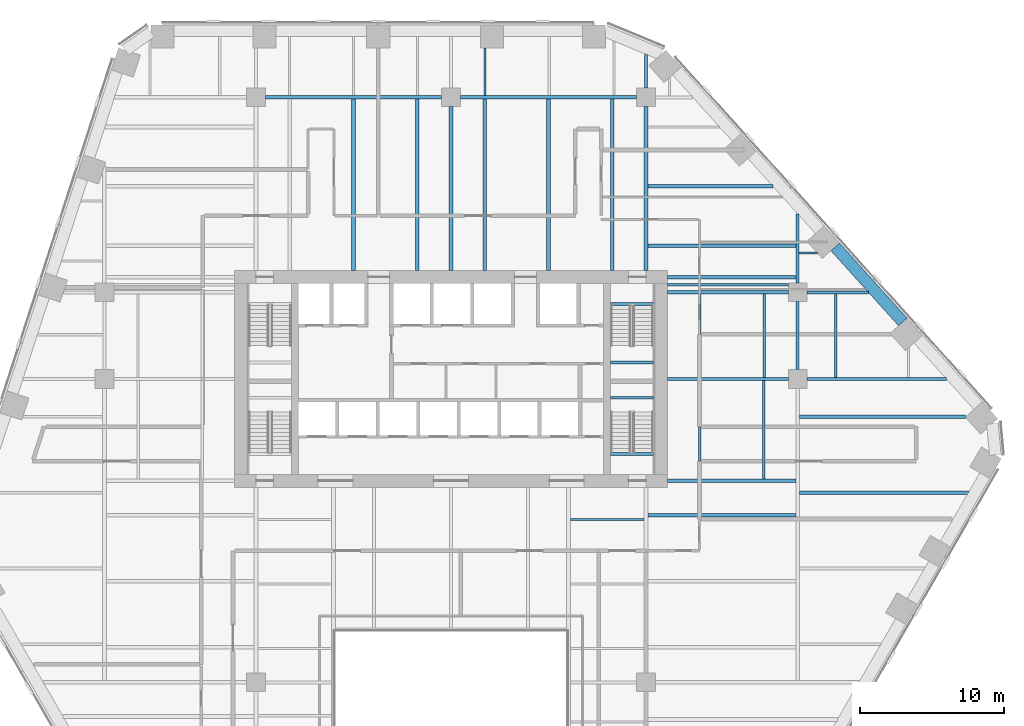
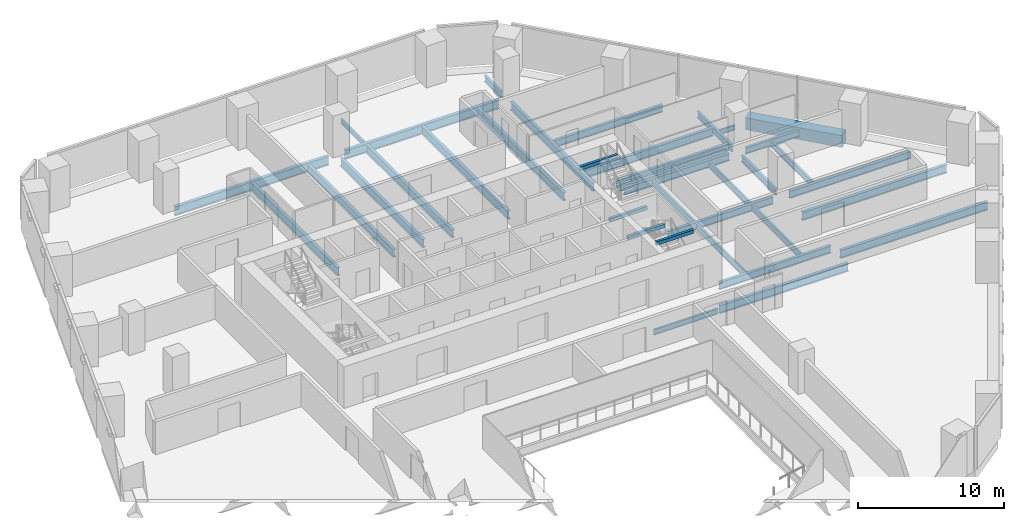
# One storey, part 9 of 21: 37 beams.
"""IFC4 building model written with IfcOpenShell, lengths in metres."""

from ifc_helpers import new_model, si_unit, direction, frame, origin, origin_2d, place, context, subcontext, project, spatial, rectangle, i_section, extrude, material, material_profile, profile_set, type_object, element, save


model = new_model("IFC4")

# Units and contexts
model_context = context("Model", 3, precision=1e-05, world=origin(), true_north=direction((0.0, 1.0)))
body_context = subcontext(model_context, "Body", "Model", "MODEL_VIEW")
ifc_project = project(units=[si_unit("LENGTHUNIT", "METRE"), si_unit("AREAUNIT", "SQUARE_METRE"), si_unit("VOLUMEUNIT", "CUBIC_METRE"), si_unit("PLANEANGLEUNIT", "RADIAN"), si_unit("MASSUNIT", "GRAM", prefix="KILO")], contexts=[model_context])

# Site, building, storey
site_placement = place(None, origin())
site = spatial("IfcSite", under=ifc_project, at=site_placement, CompositionType="ELEMENT")
building_placement = place(site_placement, origin())
building = spatial("IfcBuilding", under=site, at=building_placement, Name="Isthmus Gate Tower", CompositionType="ELEMENT")
storey_placement = place(building_placement, frame((0.0, 0.0, 109.85009765625)))
storey = spatial("IfcBuildingStorey", under=building, at=storey_placement, Name="L26", CompositionType="ELEMENT", Elevation=109.85009765625)

# Beams
ifc_material_1 = material(Name="Concrete f'c 70 MPa", Category="concrete")
ifc_material_profile_1 = material_profile(ifc_material_1, rectangle(XDim=0.800048828125, YDim=1.0, at=origin_2d()), Name="RC 800X1000")
ifc_profile_set_1 = profile_set([ifc_material_profile_1], Name="Concrete f'c 70 MPa")
beam_type_1 = type_object("IfcBeamType", Name="RC SPANDREL 800 X 1000", PredefinedType="SPANDREL", material=ifc_profile_set_1)
beam_1_placement = place(storey_placement, frame((26.597900390625, 16.640380859375, -0.5), z_axis=(0.669128753615, -0.743146493691, 0.0), x_axis=(0.743146493691, 0.669128753615, 0.0)))
element("IfcBeam", 1, at=beam_1_placement, inside=storey, type_object=beam_type_1, Name="str-spandrel-L26-03", PredefinedType="SPANDREL", context=body_context, shape_type="SweptSolid", body=[
    extrude(rectangle(XDim=0.800048828125, YDim=1.0, at=origin_2d()), origin(), (0.0, 0.0, 1.0), 6.9892578125),
])
ifc_material_2 = material(Name="Concrete f'c 40 MPa", Category="concrete")
ifc_material_profile_2 = material_profile(ifc_material_2, rectangle(XDim=0.199951171875, YDim=0.300048828125, at=origin_2d()), Name="STAIR LANDING BEAM RC 200 X 300")
ifc_profile_set_2 = profile_set([ifc_material_profile_2], Name="Concrete f'c 40 MPa")
beam_type_2 = type_object("IfcBeamType", Name="STAIR LANDING BEAM RC 200 X 300", PredefinedType="BEAM", material=ifc_profile_set_2)
for number, where, z_axis, x_axis, name in (
    (2, (11.050048828125, 8.64990234375, 1.474853515625), (1.0, 0.0, 0.0), (0.0, 1.0, 0.0), "L26 ST2 landing beam 1"),
    (3, (11.050048828125, 12.7001953125, 3.349853515625), (1.0, 0.0, 0.0), (0.0, 1.0, 0.0), "L26 ST2 floor-edge seat beam"),
    (4, (11.050048828125, 6.199951171875, 1.474853515625), (1.0, 0.0, 0.0), (0.0, 1.0, 0.0), "L26 ST8 landing beam 1"),
    (5, (11.050048828125, 2.2998046875, 3.349853515625), (1.0, 0.0, 0.0), (0.0, 1.0, 0.0), "L26 ST8 floor-edge seat beam"),
):
    element("IfcBeam", number, at=place(storey_placement, frame(where, z_axis=z_axis, x_axis=x_axis)), inside=storey, type_object=beam_type_2, Name=name, PredefinedType="BEAM", context=body_context, shape_type="SweptSolid", body=[
        extrude(rectangle(XDim=0.199951171875, YDim=0.300048828125, at=origin_2d()), origin(), (0.0, 0.0, 1.0), 2.949951171875),
    ])
ifc_material_3 = material(Name="Structural steel ASTM A992 Gr 50", Category="steel")
ifc_material_profile_3 = material_profile(ifc_material_3, i_section(OverallWidth=0.1396484375, OverallDepth=0.4033203125, WebThickness=0.00634765625, FlangeThickness=0.010986328125, at=origin_2d()), Name="W16X31")
ifc_profile_set_3 = profile_set([ifc_material_profile_3], Name="Structural steel ASTM A992 Gr 50")
beam_type_3 = type_object("IfcBeamType", Name="STEEL FLOOR BEAM W16X31", PredefinedType="JOIST", material=ifc_profile_set_3)
beam_2_placement = place(storey_placement, frame((2.33740234375, 27.1318359375, -0.351806640625), z_axis=(0.0, 1.0, 0.0), x_axis=(-1.0, 0.0, 0.0)))
element("IfcBeam", 6, at=beam_2_placement, inside=storey, type_object=beam_type_3, Name="str-beam-L26-20-00", PredefinedType="JOIST", context=body_context, shape_type="SweptSolid", body=[
    extrude(i_section(OverallWidth=0.1396484375, OverallDepth=0.4033203125, WebThickness=0.00634765625, FlangeThickness=0.010986328125, at=origin_2d()), origin(), (0.0, 0.0, 1.0), 3.26806640625),
])
beam_3_placement = place(storey_placement, frame((24.104736328125, 16.208251953125, -0.351806640625), z_axis=(1.0, 0.0, 0.0), x_axis=(0.0, 1.0, 0.0)))
element("IfcBeam", 7, at=beam_3_placement, inside=storey, type_object=beam_type_3, Name="str-beam-L26-32-00", PredefinedType="JOIST", context=body_context, shape_type="SweptSolid", body=[
    extrude(i_section(OverallWidth=0.1396484375, OverallDepth=0.4033203125, WebThickness=0.00634765625, FlangeThickness=0.010986328125, at=origin_2d()), origin(), (0.0, 0.0, 1.0), 1.267578125),
])
ifc_material_4 = material(Name="Structural steel ASTM A992 Gr 50", Category="steel")
ifc_material_profile_4 = material_profile(ifc_material_4, i_section(OverallWidth=0.15234375, OverallDepth=0.45068359375, WebThickness=0.0078125, FlangeThickness=0.010986328125, at=origin_2d()), Name="W18X35")
ifc_profile_set_4 = profile_set([ifc_material_profile_4], Name="Structural steel ASTM A992 Gr 50")
beam_type_4 = type_object("IfcBeamType", Name="STEEL FLOOR BEAM W18X35", PredefinedType="JOIST", material=ifc_profile_set_4)
beam_4_placement = place(storey_placement, frame((8.263427734375, -2.232421875, -0.37548828125), z_axis=(1.0, 0.0, 0.0), x_axis=(0.0, 1.0, 0.0)))
element("IfcBeam", 8, at=beam_4_placement, inside=storey, type_object=beam_type_4, Name="str-beam-L26-24-02", PredefinedType="JOIST", context=body_context, shape_type="SweptSolid", body=[
    extrude(i_section(OverallWidth=0.15234375, OverallDepth=0.45068359375, WebThickness=0.0078125, FlangeThickness=0.010986328125, at=origin_2d()), origin(), (0.0, 0.0, 1.0), 5.104736328125),
])
ifc_material_5 = material(Name="Structural steel ASTM A992 Gr 50", Category="steel")
ifc_material_profile_5 = material_profile(ifc_material_5, i_section(OverallWidth=0.1650390625, OverallDepth=0.52392578125, WebThickness=0.009521484375, FlangeThickness=0.010986328125, at=origin_2d()), Name="W21X44")
ifc_profile_set_5 = profile_set([ifc_material_profile_5], Name="Structural steel ASTM A992 Gr 50")
beam_type_5 = type_object("IfcBeamType", Name="STEEL FLOOR BEAM W21X44", PredefinedType="JOIST", material=ifc_profile_set_5)
for number, where, z_axis, x_axis, name in (
    (9, (17.223876953125, 7.6142578125, -0.412109375), (0.0, 1.0, 0.0), (-1.0, 0.0, 0.0), "str-beam-L26-30-00"),
    (10, (21.67138671875, 7.6142578125, -0.412109375), (0.0, 1.0, 0.0), (-1.0, 0.0, 0.0), "str-beam-L26-30-01"),
):
    element("IfcBeam", number, at=place(storey_placement, frame(where, z_axis=z_axis, x_axis=x_axis)), inside=storey, type_object=beam_type_5, Name=name, PredefinedType="JOIST", context=body_context, shape_type="SweptSolid", body=[
        extrude(i_section(OverallWidth=0.1650390625, OverallDepth=0.52392578125, WebThickness=0.009521484375, FlangeThickness=0.010986328125, at=origin_2d()), origin(), (0.0, 0.0, 1.0), 5.771484375),
    ])
for number, where, z_axis, x_axis, name in (
    (11, (17.216552734375, 0.564208984375, -0.412109375), (0.0, 1.0, 0.0), (-1.0, 0.0, 0.0), "str-beam-L26-31-00"),
    (12, (21.64990234375, 0.564208984375, -0.412109375), (0.0, 1.0, 0.0), (-1.0, 0.0, 0.0), "str-beam-L26-31-01"),
):
    element("IfcBeam", number, at=place(storey_placement, frame(where, z_axis=z_axis, x_axis=x_axis)), inside=storey, type_object=beam_type_5, Name=name, PredefinedType="JOIST", context=body_context, shape_type="SweptSolid", body=[
        extrude(i_section(OverallWidth=0.1650390625, OverallDepth=0.52392578125, WebThickness=0.009521484375, FlangeThickness=0.010986328125, at=origin_2d()), origin(), (0.0, 0.0, 1.0), 6.821533203125),
    ])
beam_5_placement = place(storey_placement, frame((26.625244140625, 7.6142578125, -0.412109375), z_axis=(0.0, 1.0, 0.0), x_axis=(-1.0, 0.0, 0.0)))
element("IfcBeam", 13, at=beam_5_placement, inside=storey, type_object=beam_type_5, Name="str-beam-L26-33-00", PredefinedType="JOIST", context=body_context, shape_type="SweptSolid", body=[
    extrude(i_section(OverallWidth=0.1650390625, OverallDepth=0.52392578125, WebThickness=0.009521484375, FlangeThickness=0.010986328125, at=origin_2d()), origin(), (0.0, 0.0, 1.0), 5.781005859375),
])
ifc_material_6 = material(Name="Structural steel ASTM A992 Gr 50", Category="steel")
ifc_material_profile_6 = material_profile(ifc_material_6, i_section(OverallWidth=0.177734375, OverallDepth=0.60009765625, WebThickness=0.009521484375, FlangeThickness=0.0126953125, at=origin_2d()), Name="W24X55")
ifc_profile_set_6 = profile_set([ifc_material_profile_6], Name="Structural steel ASTM A992 Gr 50")
beam_type_6 = type_object("IfcBeamType", Name="STEEL FLOOR BEAM W24X55", PredefinedType="JOIST", material=ifc_profile_set_6)
beam_6_placement = place(storey_placement, frame((15.0, 14.02490234375, -0.4501953125), z_axis=(1.0, 0.0, 0.0), x_axis=(0.0, 1.0, 0.0)))
element("IfcBeam", 14, at=beam_6_placement, inside=storey, type_object=beam_type_6, Name="str-beam-L26-29-00", PredefinedType="JOIST", context=body_context, shape_type="SweptSolid", body=[
    extrude(i_section(OverallWidth=0.177734375, OverallDepth=0.60009765625, WebThickness=0.009521484375, FlangeThickness=0.0126953125, at=origin_2d()), origin(), (0.0, 0.0, 1.0), 8.35009765625),
])
ifc_material_7 = material(Name="Structural steel ASTM A992 Gr 50", Category="steel")
ifc_material_profile_7 = material_profile(ifc_material_7, i_section(OverallWidth=0.228515625, OverallDepth=0.603271484375, WebThickness=0.010986328125, FlangeThickness=0.014404296875, at=origin_2d()), Name="W24X68")
ifc_profile_set_7 = profile_set([ifc_material_profile_7], Name="Structural steel ASTM A992 Gr 50")
beam_type_7 = type_object("IfcBeamType", Name="STEEL FLOOR BEAM W24X68", PredefinedType="JOIST", material=ifc_profile_set_7)
beam_7_placement = place(storey_placement, frame((13.626953125, 20.83203125, -0.45166015625), z_axis=(1.0, 0.0, 0.0), x_axis=(0.0, 1.0, 0.0)))
element("IfcBeam", 15, at=beam_7_placement, inside=storey, type_object=beam_type_7, Name="str-beam-L26-26-01", PredefinedType="JOIST", context=body_context, shape_type="SweptSolid", body=[
    extrude(i_section(OverallWidth=0.228515625, OverallDepth=0.603271484375, WebThickness=0.010986328125, FlangeThickness=0.014404296875, at=origin_2d()), origin(), (0.0, 0.0, 1.0), 8.658447265625),
])
ifc_material_8 = material(Name="Structural steel ASTM A992 Gr 50", Category="steel")
ifc_material_profile_8 = material_profile(ifc_material_8, i_section(OverallWidth=0.25390625, OverallDepth=0.679443359375, WebThickness=0.010986328125, FlangeThickness=0.015869140625, at=origin_2d()), Name="W27X84")
ifc_profile_set_8 = profile_set([ifc_material_profile_8], Name="Structural steel ASTM A992 Gr 50")
beam_type_8 = type_object("IfcBeamType", Name="STEEL FLOOR BEAM W27X84", PredefinedType="JOIST", material=ifc_profile_set_8)
for number, where, z_axis, x_axis, name in (
    (16, (-6.75, 15.0, -0.48974609375), (0.0, 1.0, 0.0), (-1.0, 0.0, 0.0), "str-beam-L26-14-01"),
    (17, (-2.334716796875, 15.0, -0.48974609375), (0.0, 1.0, 0.0), (-1.0, 0.0, 0.0), "str-beam-L26-14-02"),
    (18, (2.334716796875, 15.0, -0.48974609375), (0.0, 1.0, 0.0), (-1.0, 0.0, 0.0), "str-beam-L26-21-00"),
    (19, (6.75, 15.0, -0.48974609375), (0.0, 1.0, 0.0), (-1.0, 0.0, 0.0), "str-beam-L26-21-01"),
    (20, (11.165283203125, 15.0, -0.48974609375), (0.0, 1.0, 0.0), (-1.0, 0.0, 0.0), "str-beam-L26-21-02"),
):
    element("IfcBeam", number, at=place(storey_placement, frame(where, z_axis=z_axis, x_axis=x_axis)), inside=storey, type_object=beam_type_8, Name=name, PredefinedType="JOIST", context=body_context, shape_type="SweptSolid", body=[
        extrude(i_section(OverallWidth=0.25390625, OverallDepth=0.679443359375, WebThickness=0.010986328125, FlangeThickness=0.015869140625, at=origin_2d()), origin(), (0.0, 0.0, 1.0), 11.8681640625),
    ])
beam_8_placement = place(storey_placement, frame((13.626953125, 16.72021484375, -0.48974609375), z_axis=(1.0, 0.0, 0.0), x_axis=(0.0, 1.0, 0.0)))
element("IfcBeam", 21, at=beam_8_placement, inside=storey, type_object=beam_type_8, Name="str-beam-L26-26-00", PredefinedType="JOIST", context=body_context, shape_type="SweptSolid", body=[
    extrude(i_section(OverallWidth=0.25390625, OverallDepth=0.679443359375, WebThickness=0.010986328125, FlangeThickness=0.015869140625, at=origin_2d()), origin(), (0.0, 0.0, 1.0), 10.268310546875),
])
beam_9_placement = place(storey_placement, frame((13.6318359375, -1.947998046875, -0.48974609375), z_axis=(1.0, 0.0, 0.0), x_axis=(0.0, 1.0, 0.0)))
element("IfcBeam", 22, at=beam_9_placement, inside=storey, type_object=beam_type_8, Name="str-beam-L26-27-02", PredefinedType="JOIST", context=body_context, shape_type="SweptSolid", body=[
    extrude(i_section(OverallWidth=0.25390625, OverallDepth=0.679443359375, WebThickness=0.010986328125, FlangeThickness=0.015869140625, at=origin_2d()), origin(), (0.0, 0.0, 1.0), 10.23486328125),
])
beam_10_placement = place(storey_placement, frame((24.13330078125, -0.375, -0.48974609375), z_axis=(1.0, 0.0, 0.0), x_axis=(0.0, 1.0, 0.0)))
element("IfcBeam", 23, at=beam_10_placement, inside=storey, type_object=beam_type_8, Name="str-beam-L26-34-02", PredefinedType="JOIST", context=body_context, shape_type="SweptSolid", body=[
    extrude(i_section(OverallWidth=0.25390625, OverallDepth=0.679443359375, WebThickness=0.010986328125, FlangeThickness=0.015869140625, at=origin_2d()), origin(), (0.0, 0.0, 1.0), 11.6767578125),
])
beam_11_placement = place(storey_placement, frame((24.13330078125, 4.875, -0.48974609375), z_axis=(1.0, 0.0, 0.0), x_axis=(0.0, 1.0, 0.0)))
element("IfcBeam", 24, at=beam_11_placement, inside=storey, type_object=beam_type_8, Name="str-beam-L26-34-03", PredefinedType="JOIST", context=body_context, shape_type="SweptSolid", body=[
    extrude(i_section(OverallWidth=0.25390625, OverallDepth=0.679443359375, WebThickness=0.010986328125, FlangeThickness=0.015869140625, at=origin_2d()), origin(), (0.0, 0.0, 1.0), 11.484130859375),
])
ifc_material_9 = material(Name="Structural steel ASTM A992 Gr 50", Category="steel")
ifc_material_profile_9 = material_profile(ifc_material_9, i_section(OverallWidth=0.20947265625, OverallDepth=0.533447265625, WebThickness=0.009521484375, FlangeThickness=0.015869140625, at=origin_2d()), Name="W21X62")
ifc_profile_set_9 = profile_set([ifc_material_profile_9], Name="Structural steel ASTM A992 Gr 50")
beam_type_9 = type_object("IfcBeamType", Name="STEEL GIRDER W21X62", PredefinedType="BEAM", material=ifc_profile_set_9)
beam_12_placement = place(storey_placement, frame((24.64990234375, 13.5, -0.416748046875), z_axis=(1.0, 0.0, 0.0), x_axis=(0.0, 1.0, 0.0)))
element("IfcBeam", 25, at=beam_12_placement, inside=storey, type_object=beam_type_9, Name="str-girder-L26-16", PredefinedType="BEAM", context=body_context, shape_type="SweptSolid", body=[
    extrude(i_section(OverallWidth=0.20947265625, OverallDepth=0.533447265625, WebThickness=0.009521484375, FlangeThickness=0.015869140625, at=origin_2d()), origin(), (0.0, 0.0, 1.0), 4.2373046875),
])
beam_13_placement = place(storey_placement, frame((13.5, 27.64990234375, -0.416748046875), z_axis=(0.0, 1.0, 0.0), x_axis=(-1.0, 0.0, 0.0)))
element("IfcBeam", 26, at=beam_13_placement, inside=storey, type_object=beam_type_9, Name="str-girder-L26-35", PredefinedType="BEAM", context=body_context, shape_type="SweptSolid", body=[
    extrude(i_section(OverallWidth=0.20947265625, OverallDepth=0.533447265625, WebThickness=0.009521484375, FlangeThickness=0.015869140625, at=origin_2d()), origin(), (0.0, 0.0, 1.0), 2.320068359375),
])
beam_14_placement = place(storey_placement, frame((24.0, 8.14990234375, -0.416748046875), z_axis=(0.0, 1.0, 0.0), x_axis=(-1.0, 0.0, 0.0)))
element("IfcBeam", 27, at=beam_14_placement, inside=storey, type_object=beam_type_9, Name="str-girder-L26-37", PredefinedType="BEAM", context=body_context, shape_type="SweptSolid", body=[
    extrude(i_section(OverallWidth=0.20947265625, OverallDepth=0.533447265625, WebThickness=0.009521484375, FlangeThickness=0.015869140625, at=origin_2d()), origin(), (0.0, 0.0, 1.0), 4.7001953125),
])
beam_15_placement = place(storey_placement, frame((24.0, 14.14990234375, -0.416748046875), z_axis=(0.0, 1.0, 0.0), x_axis=(-1.0, 0.0, 0.0)))
element("IfcBeam", 28, at=beam_15_placement, inside=storey, type_object=beam_type_9, Name="str-girder-L26-38", PredefinedType="BEAM", context=body_context, shape_type="SweptSolid", body=[
    extrude(i_section(OverallWidth=0.20947265625, OverallDepth=0.533447265625, WebThickness=0.009521484375, FlangeThickness=0.015869140625, at=origin_2d()), origin(), (0.0, 0.0, 1.0), 4.778076171875),
])
ifc_material_10 = material(Name="Structural steel ASTM A992 Gr 50", Category="steel")
ifc_material_profile_10 = material_profile(ifc_material_10, i_section(OverallWidth=0.228515625, OverallDepth=0.6064453125, WebThickness=0.010986328125, FlangeThickness=0.017578125, at=origin_2d()), Name="W24X76")
ifc_profile_set_10 = profile_set([ifc_material_profile_10], Name="Structural steel ASTM A992 Gr 50")
beam_type_10 = type_object("IfcBeamType", Name="STEEL GIRDER W24X76", PredefinedType="BEAM", material=ifc_profile_set_10)
beam_16_placement = place(storey_placement, frame((15.0, 7.5, -0.453369140625), z_axis=(1.0, 0.0, 0.0), x_axis=(0.0, 1.0, 0.0)))
element("IfcBeam", 29, at=beam_16_placement, inside=storey, type_object=beam_type_10, Name="str-girder-L26-11", PredefinedType="BEAM", context=body_context, shape_type="SweptSolid", body=[
    extrude(i_section(OverallWidth=0.228515625, OverallDepth=0.6064453125, WebThickness=0.010986328125, FlangeThickness=0.017578125, at=origin_2d()), origin(), (0.0, 0.0, 1.0), 8.35009765625),
])
beam_17_placement = place(storey_placement, frame((24.64990234375, 7.5, -0.453369140625), z_axis=(1.0, 0.0, 0.0), x_axis=(0.0, 1.0, 0.0)))
element("IfcBeam", 30, at=beam_17_placement, inside=storey, type_object=beam_type_10, Name="str-girder-L26-12", PredefinedType="BEAM", context=body_context, shape_type="SweptSolid", body=[
    extrude(i_section(OverallWidth=0.228515625, OverallDepth=0.6064453125, WebThickness=0.010986328125, FlangeThickness=0.017578125, at=origin_2d()), origin(), (0.0, 0.0, 1.0), 9.639892578125),
])
beam_18_placement = place(storey_placement, frame((15.0, 13.5, -0.453369140625), z_axis=(1.0, 0.0, 0.0), x_axis=(0.0, 1.0, 0.0)))
element("IfcBeam", 31, at=beam_18_placement, inside=storey, type_object=beam_type_10, Name="str-girder-L26-15", PredefinedType="BEAM", context=body_context, shape_type="SweptSolid", body=[
    extrude(i_section(OverallWidth=0.228515625, OverallDepth=0.6064453125, WebThickness=0.010986328125, FlangeThickness=0.017578125, at=origin_2d()), origin(), (0.0, 0.0, 1.0), 8.35009765625),
])
beam_19_placement = place(storey_placement, frame((15.0, 0.449951171875, -0.453369140625), z_axis=(1.0, 0.0, 0.0), x_axis=(0.0, 1.0, 0.0)))
element("IfcBeam", 32, at=beam_19_placement, inside=storey, type_object=beam_type_10, Name="str-girder-L26-40", PredefinedType="BEAM", context=body_context, shape_type="SweptSolid", body=[
    extrude(i_section(OverallWidth=0.228515625, OverallDepth=0.6064453125, WebThickness=0.010986328125, FlangeThickness=0.017578125, at=origin_2d()), origin(), (0.0, 0.0, 1.0), 8.86669921875),
])
beam_20_placement = place(storey_placement, frame((15.0, 14.550048828125, -0.453369140625), z_axis=(1.0, 0.0, 0.0), x_axis=(0.0, 1.0, 0.0)))
element("IfcBeam", 33, at=beam_20_placement, inside=storey, type_object=beam_type_10, Name="str-girder-L26-42", PredefinedType="BEAM", context=body_context, shape_type="SweptSolid", body=[
    extrude(i_section(OverallWidth=0.228515625, OverallDepth=0.6064453125, WebThickness=0.010986328125, FlangeThickness=0.017578125, at=origin_2d()), origin(), (0.0, 0.0, 1.0), 8.895263671875),
])
ifc_material_11 = material(Name="Structural steel ASTM A992 Gr 50", Category="steel")
ifc_material_profile_11 = material_profile(ifc_material_11, i_section(OverallWidth=0.25390625, OverallDepth=0.679443359375, WebThickness=0.010986328125, FlangeThickness=0.015869140625, at=origin_2d()), Name="W27X84")
ifc_profile_set_11 = profile_set([ifc_material_profile_11], Name="Structural steel ASTM A992 Gr 50")
beam_type_11 = type_object("IfcBeamType", Name="STEEL GIRDER W27X84", PredefinedType="BEAM", material=ifc_profile_set_11)
for number, where, z_axis, x_axis, name in (
    (34, (0.0, 15.0, -0.48974609375), (0.0, 1.0, 0.0), (-1.0, 0.0, 0.0), "str-girder-L26-30"),
    (35, (13.5, 15.0, -0.48974609375), (0.0, 1.0, 0.0), (-1.0, 0.0, 0.0), "str-girder-L26-34"),
):
    element("IfcBeam", number, at=place(storey_placement, frame(where, z_axis=z_axis, x_axis=x_axis)), inside=storey, type_object=beam_type_11, Name=name, PredefinedType="BEAM", context=body_context, shape_type="SweptSolid", body=[
        extrude(i_section(OverallWidth=0.25390625, OverallDepth=0.679443359375, WebThickness=0.010986328125, FlangeThickness=0.015869140625, at=origin_2d()), origin(), (0.0, 0.0, 1.0), 11.35009765625),
    ])
ifc_material_12 = material(Name="Structural steel ASTM A992 Gr 50", Category="steel")
ifc_material_profile_12 = material_profile(ifc_material_12, i_section(OverallWidth=0.263427734375, OverallDepth=0.749267578125, WebThickness=0.0126953125, FlangeThickness=0.015869140625, at=origin_2d()), Name="W30X90")
ifc_profile_set_12 = profile_set([ifc_material_profile_12], Name="Structural steel ASTM A992 Gr 50")
beam_type_12 = type_object("IfcBeamType", Name="STEEL GIRDER W30X90", PredefinedType="BEAM", material=ifc_profile_set_12)
for number, where, z_axis, x_axis, name in (
    (36, (-12.85009765625, 27.0, -0.524658203125), (1.0, 0.0, 0.0), (0.0, 1.0, 0.0), "str-girder-L26-18"),
    (37, (0.64990234375, 27.0, -0.524658203125), (1.0, 0.0, 0.0), (0.0, 1.0, 0.0), "str-girder-L26-19"),
):
    element("IfcBeam", number, at=place(storey_placement, frame(where, z_axis=z_axis, x_axis=x_axis)), inside=storey, type_object=beam_type_12, Name=name, PredefinedType="BEAM", context=body_context, shape_type="SweptSolid", body=[
        extrude(i_section(OverallWidth=0.263427734375, OverallDepth=0.749267578125, WebThickness=0.0126953125, FlangeThickness=0.015869140625, at=origin_2d()), origin(), (0.0, 0.0, 1.0), 12.2001953125),
    ])

save(model, "model.ifc")
